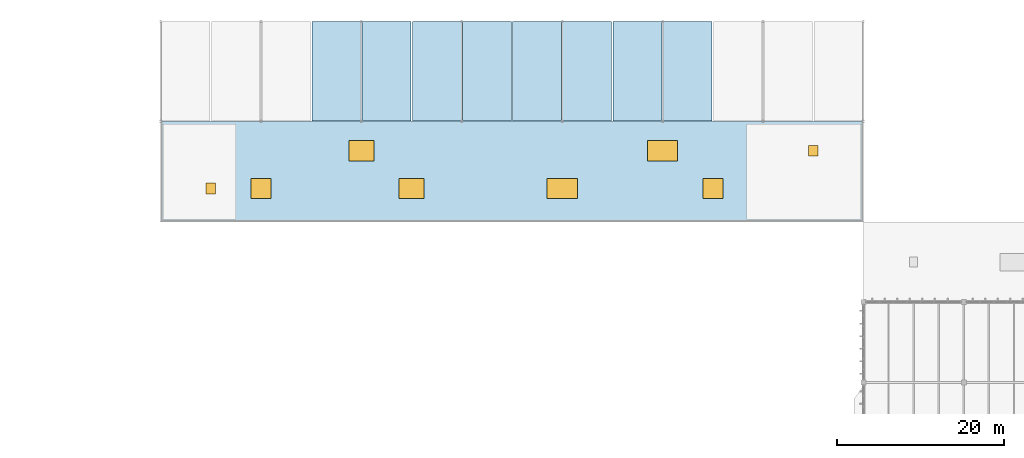
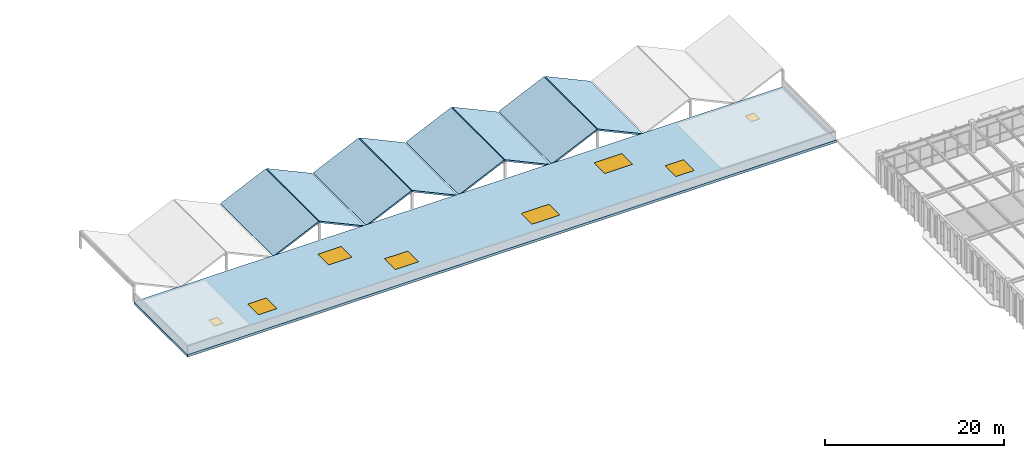
# One storey, part 62 of 83: 9 slabs, 6 windows, 2 doors, 8 openings.
"""IFC4 building model written with IfcOpenShell, lengths in metres."""

from ifc_helpers import new_model, si_unit, direction, frame, origin, origin_2d, place, context, subcontext, project, spatial, polyline, rectangle, outline, extrude, material, layer, layer_set, type_object, element, fill, save


model = new_model("IFC4")

# Units and contexts
model_context = context("Model", 3, precision=1e-05, world=origin(), true_north=direction((0.0, 1.0)))
body_context = subcontext(model_context, "Body", "Model", "MODEL_VIEW")
ifc_project = project(units=[si_unit("LENGTHUNIT", "METRE"), si_unit("AREAUNIT", "SQUARE_METRE"), si_unit("VOLUMEUNIT", "CUBIC_METRE"), si_unit("PLANEANGLEUNIT", "RADIAN"), si_unit("MASSUNIT", "GRAM", prefix="KILO")], contexts=[model_context])

# Site, building, storey
site_placement = place(None, origin())
site = spatial("IfcSite", under=ifc_project, at=site_placement, CompositionType="ELEMENT")
building_placement = place(site_placement, origin())
building = spatial("IfcBuilding", under=site, at=building_placement, Name="Pandanus Reach Market Hall", CompositionType="ELEMENT")
storey_placement = place(building_placement, frame((0.0, 0.0, 10.199951171875)))
storey = spatial("IfcBuildingStorey", under=building, at=storey_placement, Name="L02", CompositionType="ELEMENT", Elevation=10.199951171875)

# Slabs
ifc_material_1 = material(Name="Concrete N50 (50 MPa)", Category="concrete")
ifc_layer_1 = layer(ifc_material_1, 0.205078125, Name="RF-BFY-205")
ifc_layer_set_1 = layer_set([ifc_layer_1], Name="Concrete N50 (50 MPa)")
slab_type_1 = type_object("IfcSlabType", Name="RF-BFY-205", PredefinedType="ROOF", material=ifc_layer_set_1)
for number, where, z_axis, x_axis, name in (
    (1, (78.080078125, 108.06005859375, -0.159912109375), (-0.419748690861, 0.0, 0.907640367392), (0.907640367392, 0.0, 0.419748690861), "Service hall butterfly shell roof V5W.2E"),
    (2, (84.06005859375, 108.06005859375, 2.550048828125), (0.419748690861, 0.0, 0.907640367392), (0.907640367392, 0.0, -0.419748690861), "Service hall butterfly shell roof V5W.3W"),
    (3, (90.080078125, 108.06005859375, -0.159912109375), (-0.419748690861, 0.0, 0.907640367392), (0.907640367392, 0.0, 0.419748690861), "Service hall butterfly shell roof V5W.3E"),
    (4, (96.06005859375, 108.06005859375, 2.550048828125), (0.419748690861, 0.0, 0.907640367392), (0.907640367392, 0.0, -0.419748690861), "Service hall butterfly shell roof V5W.4W"),
    (5, (102.080078125, 108.06005859375, -0.159912109375), (-0.419748690861, 0.0, 0.907640367392), (0.907640367392, 0.0, 0.419748690861), "Service hall butterfly shell roof V5W.4E"),
    (6, (108.06005859375, 108.06005859375, 2.550048828125), (0.419748690861, 0.0, 0.907640367392), (0.907640367392, 0.0, -0.419748690861), "Service hall butterfly shell roof V5W.5W"),
    (7, (114.080078125, 108.06005859375, -0.159912109375), (-0.419748690861, 0.0, 0.907640367392), (0.907640367392, 0.0, 0.419748690861), "Service hall butterfly shell roof V5W.5E"),
    (8, (120.06005859375, 108.06005859375, 2.550048828125), (0.419748690861, 0.0, 0.907640367392), (0.907640367392, 0.0, -0.419748690861), "Service hall butterfly shell roof V5W.6W"),
):
    element("IfcSlab", number, at=place(storey_placement, frame(where, z_axis=z_axis, x_axis=x_axis)), inside=storey, type_object=slab_type_1, Name=name, PredefinedType="ROOF", context=body_context, shape_type="SweptSolid", body=[
        extrude(outline(polyline([(0.0, 0.0), (6.456151017263916, 0.0), (6.456151017263916, 11.8798828125), (0.0, 11.8798828125), (0.0, 0.0)])), origin(), (0.0, 0.0, -1.0), 0.205078125),
    ])

# Slab, openings, windows, doors
ifc_material_2 = material(Name="Concrete N40 (40 MPa)", Category="concrete")
ifc_layer_2 = layer(ifc_material_2, 0.340087890625, Name="RF-FLT-340")
ifc_layer_set_2 = layer_set([ifc_layer_2], Name="Concrete N40 (40 MPa)")
slab_type_2 = type_object("IfcSlabType", Name="RF-FLT-340", PredefinedType="ROOF", material=ifc_layer_set_2)
slab_placement = place(storey_placement, frame((0.0, 0.0, -0.33984375)))
slab = element("IfcSlab", 9, at=slab_placement, inside=storey, type_object=slab_type_2, Name="Concrete roof slab RF-L02-V5", PredefinedType="ROOF", context=body_context, shape_type="SweptSolid", body=[
    extrude(outline(polyline([(60.0, 96.0), (144.0, 96.0), (144.0, 108.0), (60.0, 108.0), (60.0, 96.0)]), holes=[polyline([(70.800048828125, 98.800048828125), (73.199951171875, 98.800048828125), (73.199951171875, 101.199951171875), (70.800048828125, 101.199951171875), (70.800048828125, 98.800048828125)]), polyline([(88.5, 98.800048828125), (91.5, 98.800048828125), (91.5, 101.199951171875), (88.5, 101.199951171875), (88.5, 98.800048828125)]), polyline([(106.199951171875, 98.800048828125), (109.800048828125, 98.800048828125), (109.800048828125, 101.199951171875), (106.199951171875, 101.199951171875), (106.199951171875, 98.800048828125)]), polyline([(124.800048828125, 98.800048828125), (127.199951171875, 98.800048828125), (127.199951171875, 101.199951171875), (124.800048828125, 101.199951171875), (124.800048828125, 98.800048828125)]), polyline([(82.5, 103.300048828125), (85.5, 103.300048828125), (85.5, 105.699951171875), (82.5, 105.699951171875), (82.5, 103.300048828125)]), polyline([(118.199951171875, 103.300048828125), (121.800048828125, 103.300048828125), (121.800048828125, 105.699951171875), (118.199951171875, 105.699951171875), (118.199951171875, 103.300048828125)]), polyline([(65.449951171875, 99.35009765625), (66.550048828125, 99.35009765625), (66.550048828125, 100.64990234375), (65.449951171875, 100.64990234375), (65.449951171875, 99.35009765625)]), polyline([(137.449951171875, 103.85009765625), (138.550048828125, 103.85009765625), (138.550048828125, 105.14990234375), (137.449951171875, 105.14990234375), (137.449951171875, 103.85009765625)])]), origin(), (0.0, 0.0, 1.0), 0.33984375),
])
opening_1_placement = place(slab_placement, frame((72.0, 100.0, -0.014892578125)))
opening_1 = element("IfcOpeningElement", 10, at=opening_1_placement, cuts=slab, Name="Opening SK-01", PredefinedType="OPENING", context=body_context, shape_type="SweptSolid", body=[
    extrude(rectangle(XDim=2.39990234375, YDim=2.39990234375, at=origin_2d()), origin(), (0.0, 0.0, 1.0), 0.369873046875),
])
opening_2_placement = place(slab_placement, frame((90.0, 100.0, -0.014892578125)))
opening_2 = element("IfcOpeningElement", 11, at=opening_2_placement, cuts=slab, Name="Opening SK-02", PredefinedType="OPENING", context=body_context, shape_type="SweptSolid", body=[
    extrude(rectangle(XDim=3.0, YDim=2.39990234375, at=origin_2d()), origin(), (0.0, 0.0, 1.0), 0.369873046875),
])
opening_3_placement = place(slab_placement, frame((108.0, 100.0, -0.014892578125)))
opening_3 = element("IfcOpeningElement", 12, at=opening_3_placement, cuts=slab, Name="Opening SK-03", PredefinedType="OPENING", context=body_context, shape_type="SweptSolid", body=[
    extrude(rectangle(XDim=3.60009765625, YDim=2.39990234375, at=origin_2d()), origin(), (0.0, 0.0, 1.0), 0.369873046875),
])
opening_4_placement = place(slab_placement, frame((126.0, 100.0, -0.014892578125)))
opening_4 = element("IfcOpeningElement", 13, at=opening_4_placement, cuts=slab, Name="Opening SK-01", PredefinedType="OPENING", context=body_context, shape_type="SweptSolid", body=[
    extrude(rectangle(XDim=2.39990234375, YDim=2.39990234375, at=origin_2d()), origin(), (0.0, 0.0, 1.0), 0.369873046875),
])
opening_5_placement = place(slab_placement, frame((84.0, 104.5, -0.014892578125)))
opening_5 = element("IfcOpeningElement", 14, at=opening_5_placement, cuts=slab, Name="Opening SK-02", PredefinedType="OPENING", context=body_context, shape_type="SweptSolid", body=[
    extrude(rectangle(XDim=3.0, YDim=2.39990234375, at=origin_2d()), origin(), (0.0, 0.0, 1.0), 0.369873046875),
])
opening_6_placement = place(slab_placement, frame((120.0, 104.5, -0.014892578125)))
opening_6 = element("IfcOpeningElement", 15, at=opening_6_placement, cuts=slab, Name="Opening SK-03", PredefinedType="OPENING", context=body_context, shape_type="SweptSolid", body=[
    extrude(rectangle(XDim=3.60009765625, YDim=2.39990234375, at=origin_2d()), origin(), (0.0, 0.0, 1.0), 0.369873046875),
])
opening_7_placement = place(slab_placement, frame((66.0, 100.0, -0.014892578125)))
opening_7 = element("IfcOpeningElement", 16, at=opening_7_placement, cuts=slab, Name="Opening TRP-110", PredefinedType="OPENING", context=body_context, shape_type="SweptSolid", body=[
    extrude(rectangle(XDim=1.10009765625, YDim=1.300048828125, at=origin_2d()), origin(), (0.0, 0.0, 1.0), 0.369873046875),
])
opening_8_placement = place(slab_placement, frame((138.0, 104.5, -0.014892578125)))
opening_8 = element("IfcOpeningElement", 17, at=opening_8_placement, cuts=slab, Name="Opening TRP-110", PredefinedType="OPENING", context=body_context, shape_type="SweptSolid", body=[
    extrude(rectangle(XDim=1.10009765625, YDim=1.300048828125, at=origin_2d()), origin(), (0.0, 0.0, 1.0), 0.369873046875),
])
ifc_material_3 = material(Name="Solar-control double glazing", Category="glass")
window_type_1 = type_object("IfcWindowType", Name="SK-01", PartitioningType="SINGLE_PANEL", PredefinedType="SKYLIGHT", material=ifc_material_3)
window_1_placement = place(slab_placement, frame((72.0, 100.0, 0.289794921875)))
window_1 = element("IfcWindow", 18, at=window_1_placement, inside=storey, type_object=window_type_1, Name="Roof skylight SK-01 1", OverallHeight=2.39990234375, OverallWidth=2.39990234375, PartitioningType="SINGLE_PANEL", PredefinedType="SKYLIGHT", context=body_context, shape_type="SweptSolid", body=[
    extrude(rectangle(XDim=2.39990234375, YDim=2.39990234375, at=origin_2d()), origin(), (0.0, 0.0, 1.0), 0.050048828125),
])
fill(opening_1, window_1)
window_2_placement = place(slab_placement, frame((126.0, 100.0, 0.289794921875)))
window_2 = element("IfcWindow", 19, at=window_2_placement, inside=storey, type_object=window_type_1, Name="Roof skylight SK-01 4", OverallHeight=2.39990234375, OverallWidth=2.39990234375, PartitioningType="SINGLE_PANEL", PredefinedType="SKYLIGHT", context=body_context, shape_type="SweptSolid", body=[
    extrude(rectangle(XDim=2.39990234375, YDim=2.39990234375, at=origin_2d()), origin(), (0.0, 0.0, 1.0), 0.050048828125),
])
fill(opening_4, window_2)
window_type_2 = type_object("IfcWindowType", Name="SK-02", PartitioningType="SINGLE_PANEL", PredefinedType="SKYLIGHT", material=ifc_material_3)
window_3_placement = place(slab_placement, frame((90.0, 100.0, 0.289794921875)))
window_3 = element("IfcWindow", 20, at=window_3_placement, inside=storey, type_object=window_type_2, Name="Roof skylight SK-02 2", OverallHeight=2.39990234375, OverallWidth=3.0, PartitioningType="SINGLE_PANEL", PredefinedType="SKYLIGHT", context=body_context, shape_type="SweptSolid", body=[
    extrude(rectangle(XDim=3.0, YDim=2.39990234375, at=origin_2d()), origin(), (0.0, 0.0, 1.0), 0.050048828125),
])
fill(opening_2, window_3)
window_4_placement = place(slab_placement, frame((84.0, 104.5, 0.289794921875)))
window_4 = element("IfcWindow", 21, at=window_4_placement, inside=storey, type_object=window_type_2, Name="Roof skylight SK-02 5", OverallHeight=2.39990234375, OverallWidth=3.0, PartitioningType="SINGLE_PANEL", PredefinedType="SKYLIGHT", context=body_context, shape_type="SweptSolid", body=[
    extrude(rectangle(XDim=3.0, YDim=2.39990234375, at=origin_2d()), origin(), (0.0, 0.0, 1.0), 0.050048828125),
])
fill(opening_5, window_4)
window_type_3 = type_object("IfcWindowType", Name="SK-03", PartitioningType="SINGLE_PANEL", PredefinedType="SKYLIGHT", material=ifc_material_3)
window_5_placement = place(slab_placement, frame((108.0, 100.0, 0.289794921875)))
window_5 = element("IfcWindow", 22, at=window_5_placement, inside=storey, type_object=window_type_3, Name="Roof skylight SK-03 3", OverallHeight=2.39990234375, OverallWidth=3.60009765625, PartitioningType="SINGLE_PANEL", PredefinedType="SKYLIGHT", context=body_context, shape_type="SweptSolid", body=[
    extrude(rectangle(XDim=3.60009765625, YDim=2.39990234375, at=origin_2d()), origin(), (0.0, 0.0, 1.0), 0.050048828125),
])
fill(opening_3, window_5)
window_6_placement = place(slab_placement, frame((120.0, 104.5, 0.289794921875)))
window_6 = element("IfcWindow", 23, at=window_6_placement, inside=storey, type_object=window_type_3, Name="Roof skylight SK-03 6", OverallHeight=2.39990234375, OverallWidth=3.60009765625, PartitioningType="SINGLE_PANEL", PredefinedType="SKYLIGHT", context=body_context, shape_type="SweptSolid", body=[
    extrude(rectangle(XDim=3.60009765625, YDim=2.39990234375, at=origin_2d()), origin(), (0.0, 0.0, 1.0), 0.050048828125),
])
fill(opening_6, window_6)
ifc_material_4 = material(Name="Insulated aluminium plant hatch door", Category="aluminium")
door_type = type_object("IfcDoorType", Name="TRP-110", OperationType="SINGLE_SWING_LEFT", PredefinedType="TRAPDOOR", material=ifc_material_4)
door_1_placement = place(slab_placement, frame((66.0, 100.0, 0.289794921875)))
door_1 = element("IfcDoor", 24, at=door_1_placement, inside=storey, type_object=door_type, Name="Roof access trapdoor TRP-110 4", OperationType="SINGLE_SWING_LEFT", OverallHeight=1.300048828125, OverallWidth=1.10009765625, PredefinedType="TRAPDOOR", context=body_context, shape_type="SweptSolid", body=[
    extrude(rectangle(XDim=1.10009765625, YDim=1.300048828125, at=origin_2d()), origin(), (0.0, 0.0, 1.0), 0.050048828125),
])
fill(opening_7, door_1)
door_2_placement = place(slab_placement, frame((138.0, 104.5, 0.289794921875)))
door_2 = element("IfcDoor", 25, at=door_2_placement, inside=storey, type_object=door_type, Name="Roof access trapdoor TRP-110 5", OperationType="SINGLE_SWING_LEFT", OverallHeight=1.300048828125, OverallWidth=1.10009765625, PredefinedType="TRAPDOOR", context=body_context, shape_type="SweptSolid", body=[
    extrude(rectangle(XDim=1.10009765625, YDim=1.300048828125, at=origin_2d()), origin(), (0.0, 0.0, 1.0), 0.050048828125),
])
fill(opening_8, door_2)

save(model, "model.ifc")
